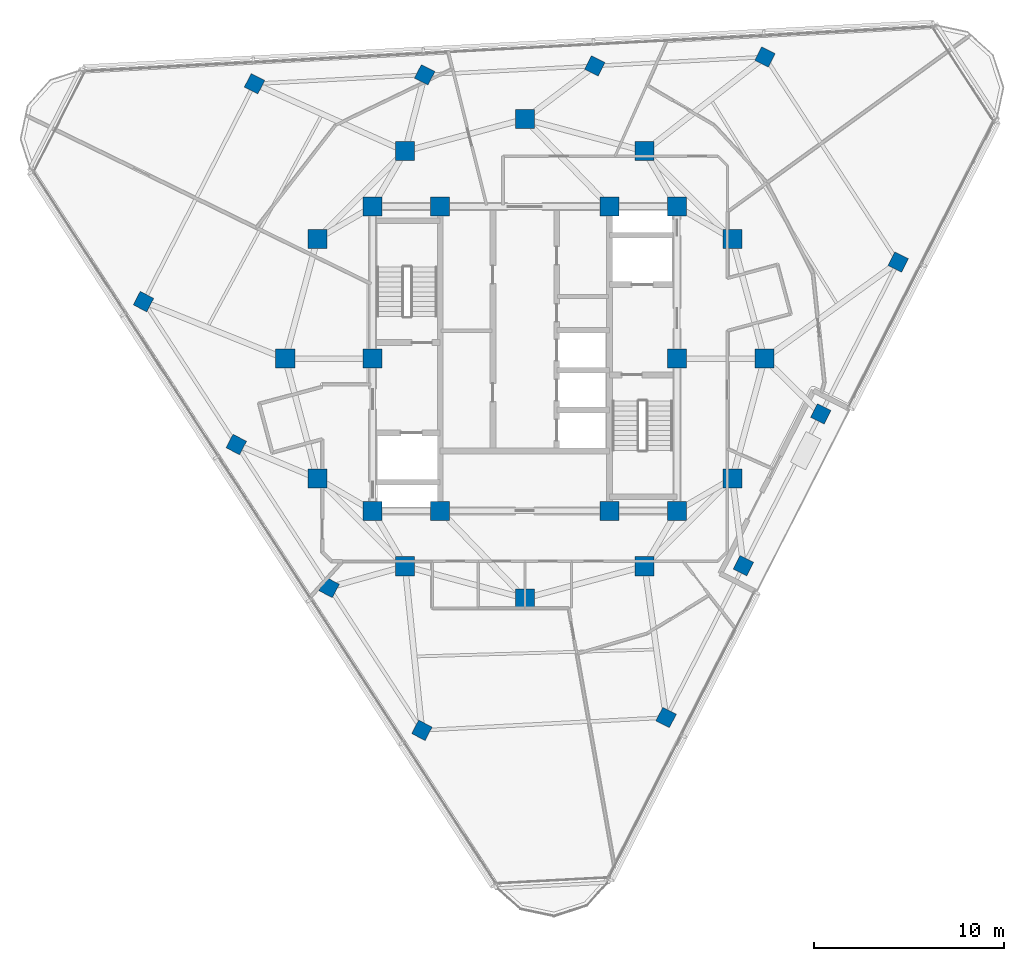
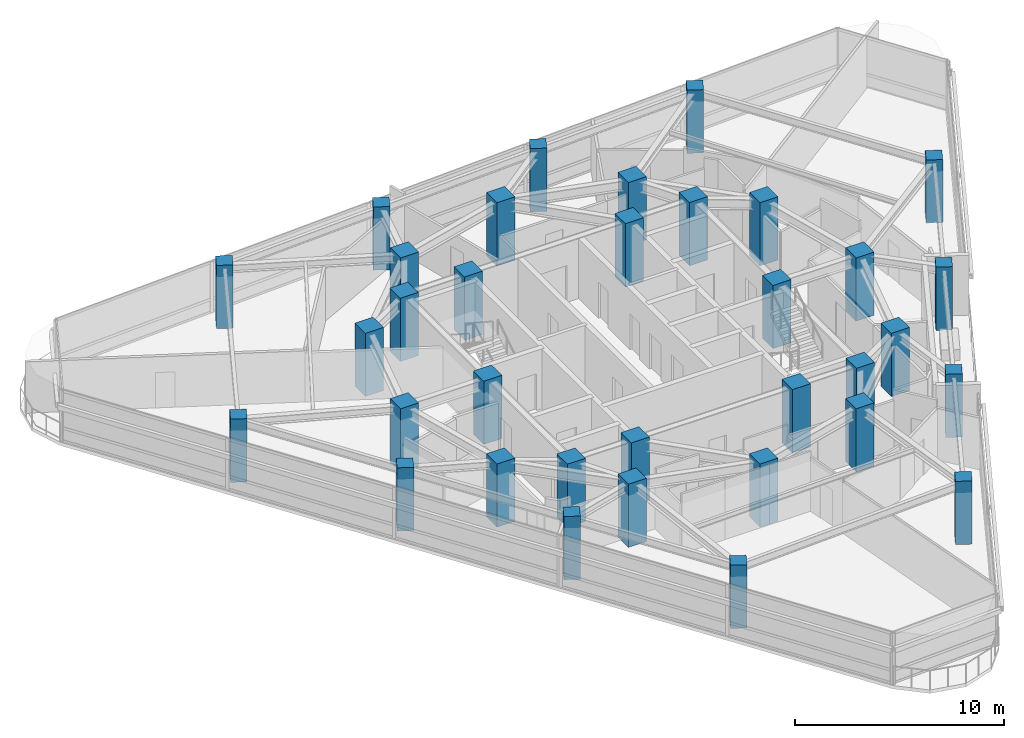
# One storey, part 1 of 15: 34 columns.
"""IFC4 building model written with IfcOpenShell, lengths in metres."""

from ifc_helpers import new_model, si_unit, direction, frame, origin, origin_2d, place, context, subcontext, project, spatial, rectangle, extrude, material, material_profile, profile_set, type_object, element, save


model = new_model("IFC4")

# Units and contexts
model_context = context("Model", 3, precision=1e-05, world=origin(), true_north=direction((0.0, 1.0)))
body_context = subcontext(model_context, "Body", "Model", "MODEL_VIEW")
ifc_project = project(units=[si_unit("LENGTHUNIT", "METRE"), si_unit("AREAUNIT", "SQUARE_METRE"), si_unit("VOLUMEUNIT", "CUBIC_METRE"), si_unit("PLANEANGLEUNIT", "RADIAN"), si_unit("MASSUNIT", "GRAM", prefix="KILO")], contexts=[model_context])

# Site, building, storey
site_placement = place(None, origin())
site = spatial("IfcSite", under=ifc_project, at=site_placement, CompositionType="ELEMENT")
building_placement = place(site_placement, origin())
building = spatial("IfcBuilding", under=site, at=building_placement, Name="Terralouvre Media Tower", CompositionType="ELEMENT")
storey_placement = place(building_placement, frame((0.0, 0.0, 252.199951171875)))
storey = spatial("IfcBuildingStorey", under=building, at=storey_placement, Name="L65", CompositionType="ELEMENT", Elevation=252.199951171875)

# Columns
ifc_material_1 = material(Name="Concrete C50/60", Category="concrete")
ifc_material_profile_1 = material_profile(ifc_material_1, rectangle(XDim=1.0, YDim=1.0, at=origin_2d()), Name="RC 1000x1000")
ifc_profile_set_1 = profile_set([ifc_material_profile_1], Name="Concrete C50/60")
column_type_1 = type_object("IfcColumnType", Name="Structural Column C-RC1000 (RC 1000x1000)", PredefinedType="COLUMN", material=ifc_profile_set_1)
for number, where, z_axis, x_axis, name in (
    (1, (-8.0, -8.0, 0.0), (0.0, 0.0, 1.0), (1.0, 0.0, 0.0), "L65 Core Pilaster Column CP1"),
    (2, (-4.449951171875, -8.0, 0.0), (0.0, 0.0, 1.0), (1.0, 0.0, 0.0), "L65 Core Pilaster Column CP2"),
    (3, (4.449951171875, -8.0, 0.0), (0.0, 0.0, 1.0), (1.0, 0.0, 0.0), "L65 Core Pilaster Column CP10"),
    (4, (8.0, -8.0, 0.0), (0.0, 0.0, 1.0), (1.0, 0.0, 0.0), "L65 Core Pilaster Column CP3"),
    (5, (8.0, 0.0, 0.0), (0.0, 0.0, 1.0), (1.0, 0.0, 0.0), "L65 Core Pilaster Column CP4"),
    (6, (8.0, 8.0, 0.0), (0.0, 0.0, 1.0), (1.0, 0.0, 0.0), "L65 Core Pilaster Column CP5"),
    (7, (4.449951171875, 8.0, 0.0), (0.0, 0.0, 1.0), (1.0, 0.0, 0.0), "L65 Core Pilaster Column CP9"),
    (8, (-4.449951171875, 8.0, 0.0), (0.0, 0.0, 1.0), (1.0, 0.0, 0.0), "L65 Core Pilaster Column CP6"),
    (9, (-8.0, 8.0, 0.0), (0.0, 0.0, 1.0), (1.0, 0.0, 0.0), "L65 Core Pilaster Column CP7"),
    (10, (-8.0, 0.0, 0.0), (0.0, 0.0, 1.0), (1.0, 0.0, 0.0), "L65 Core Pilaster Column CP8"),
    (11, (12.60009765625, 0.0, 0.0), (0.0, 0.0, 1.0), (1.0, 0.0, 0.0), "L65 Mega-Frame Column MC01"),
    (12, (10.911865234375, 6.300048828125, 0.0), (0.0, 0.0, 1.0), (1.0, 0.0, 0.0), "L65 Mega-Frame Column MC02"),
    (13, (6.300048828125, 10.911865234375, 0.0), (0.0, 0.0, 1.0), (1.0, 0.0, 0.0), "L65 Mega-Frame Column MC03"),
    (14, (0.0, 12.60009765625, 0.0), (0.0, 0.0, 1.0), (1.0, 0.0, 0.0), "L65 Mega-Frame Column MC04"),
    (15, (-6.300048828125, 10.911865234375, 0.0), (0.0, 0.0, 1.0), (1.0, 0.0, 0.0), "L65 Mega-Frame Column MC05"),
    (16, (-10.911865234375, 6.300048828125, 0.0), (0.0, 0.0, 1.0), (1.0, 0.0, 0.0), "L65 Mega-Frame Column MC06"),
    (17, (-12.60009765625, 0.0, 0.0), (0.0, 0.0, 1.0), (1.0, 0.0, 0.0), "L65 Mega-Frame Column MC07"),
    (18, (-10.911865234375, -6.300048828125, 0.0), (0.0, 0.0, 1.0), (1.0, 0.0, 0.0), "L65 Mega-Frame Column MC08"),
    (19, (-6.300048828125, -10.911865234375, 0.0), (0.0, 0.0, 1.0), (1.0, 0.0, 0.0), "L65 Mega-Frame Column MC09"),
    (20, (0.0, -12.60009765625, 0.0), (0.0, 0.0, 1.0), (1.0, 0.0, 0.0), "L65 Mega-Frame Column MC10"),
    (21, (6.300048828125, -10.911865234375, 0.0), (0.0, 0.0, 1.0), (1.0, 0.0, 0.0), "L65 Mega-Frame Column MC11"),
    (22, (10.911865234375, -6.300048828125, 0.0), (0.0, 0.0, 1.0), (1.0, 0.0, 0.0), "L65 Mega-Frame Column MC12"),
):
    element("IfcColumn", number, at=place(storey_placement, frame(where, z_axis=z_axis, x_axis=x_axis)), inside=storey, type_object=column_type_1, Name=name, PredefinedType="COLUMN", context=body_context, shape_type="SweptSolid", body=[
        extrude(rectangle(XDim=1.0, YDim=1.0, at=origin_2d()), origin(), (0.0, 0.0, 1.0), 3.699951171875),
    ])
ifc_material_2 = material(Name="Concrete C50/60", Category="concrete")
ifc_material_profile_2 = material_profile(ifc_material_2, rectangle(XDim=0.800048828125, YDim=0.800048828125, at=origin_2d()), Name="RC 800x800")
ifc_profile_set_2 = profile_set([ifc_material_profile_2], Name="Concrete C50/60")
column_type_2 = type_object("IfcColumnType", Name="Structural Column C-RC800 (RC 800x800)", PredefinedType="COLUMN", material=ifc_profile_set_2)
for number, where, z_axis, x_axis, name in (
    (23, (7.42626953125, -18.867919921875, 0.0), (0.0, 0.0, 1.0), (0.45399049974, 0.891006524188, 0.0), "L65 Perimeter Mega-Column PC11"),
    (24, (11.493896484375, -10.884521484375, 0.0), (0.0, 0.0, 1.0), (0.45399049974, 0.891006524188, 0.0), "L65 Perimeter Mega-Column PC12"),
    (25, (15.561767578125, -2.901123046875, 0.0), (0.0, 0.0, 1.0), (0.45399049974, 0.891006524188, 0.0), "L65 Perimeter Mega-Column PC13"),
    (26, (19.62939453125, 5.082275390625, 0.0), (0.0, 0.0, 1.0), (0.45399049974, 0.891006524188, 0.0), "L65 Perimeter Mega-Column PC14"),
    (27, (12.626953125, 15.865234375, 0.0), (0.0, 0.0, 1.0), (0.45399049974, 0.891006524188, 0.0), "L65 Perimeter Mega-Column PC21"),
    (28, (3.67919921875, 15.396240234375, 0.0), (0.0, 0.0, 1.0), (0.45399049974, 0.891006524188, 0.0), "L65 Perimeter Mega-Column PC22"),
    (29, (-5.2685546875, 14.927490234375, 0.0), (0.0, 0.0, 1.0), (0.45399049974, 0.891006524188, 0.0), "L65 Perimeter Mega-Column PC23"),
    (30, (-14.21630859375, 14.45849609375, 0.0), (0.0, 0.0, 1.0), (0.45399049974, 0.891006524188, 0.0), "L65 Perimeter Mega-Column PC24"),
    (31, (-20.05322265625, 3.002685546875, 0.0), (0.0, 0.0, 1.0), (0.45399049974, 0.891006524188, 0.0), "L65 Perimeter Mega-Column PC31"),
    (32, (-15.17333984375, -4.51171875, 0.0), (0.0, 0.0, 1.0), (0.45399049974, 0.891006524188, 0.0), "L65 Perimeter Mega-Column PC32"),
    (33, (-10.293212890625, -12.0263671875, 0.0), (0.0, 0.0, 1.0), (0.45399049974, 0.891006524188, 0.0), "L65 Perimeter Mega-Column PC33"),
    (34, (-5.413330078125, -19.540771484375, 0.0), (0.0, 0.0, 1.0), (0.45399049974, 0.891006524188, 0.0), "L65 Perimeter Mega-Column PC34"),
):
    element("IfcColumn", number, at=place(storey_placement, frame(where, z_axis=z_axis, x_axis=x_axis)), inside=storey, type_object=column_type_2, Name=name, PredefinedType="COLUMN", context=body_context, shape_type="SweptSolid", body=[
        extrude(rectangle(XDim=0.800048828125, YDim=0.800048828125, at=origin_2d()), origin(), (0.0, 0.0, 1.0), 3.699951171875),
    ])

save(model, "model.ifc")
